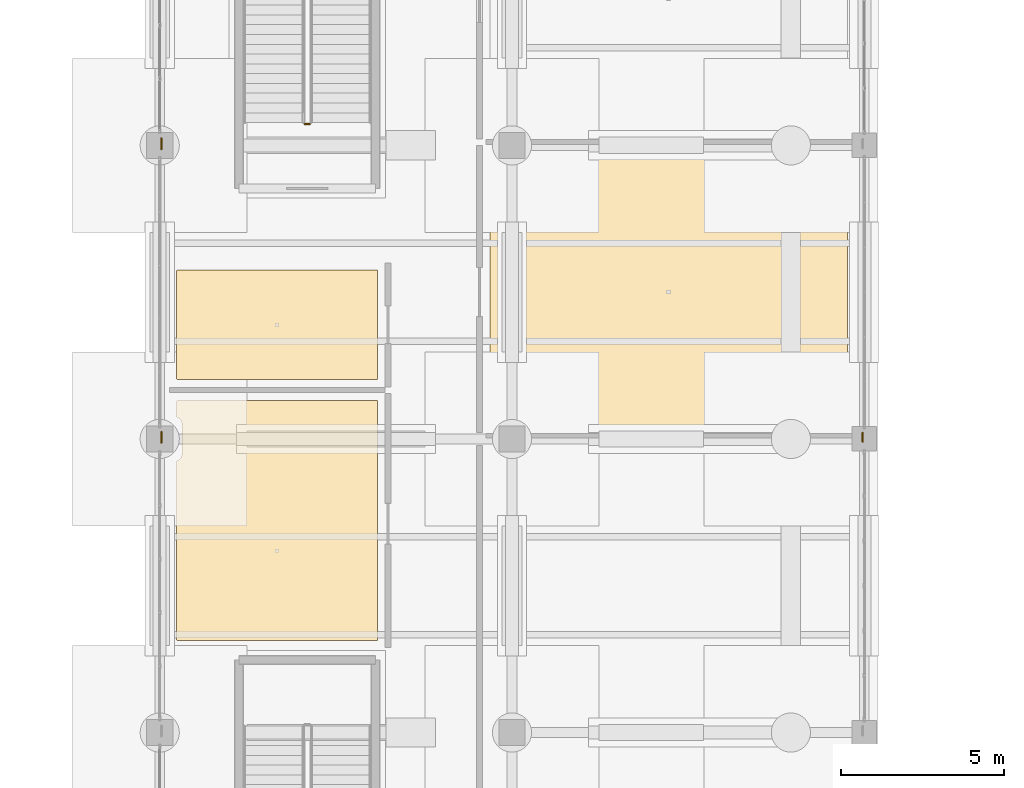
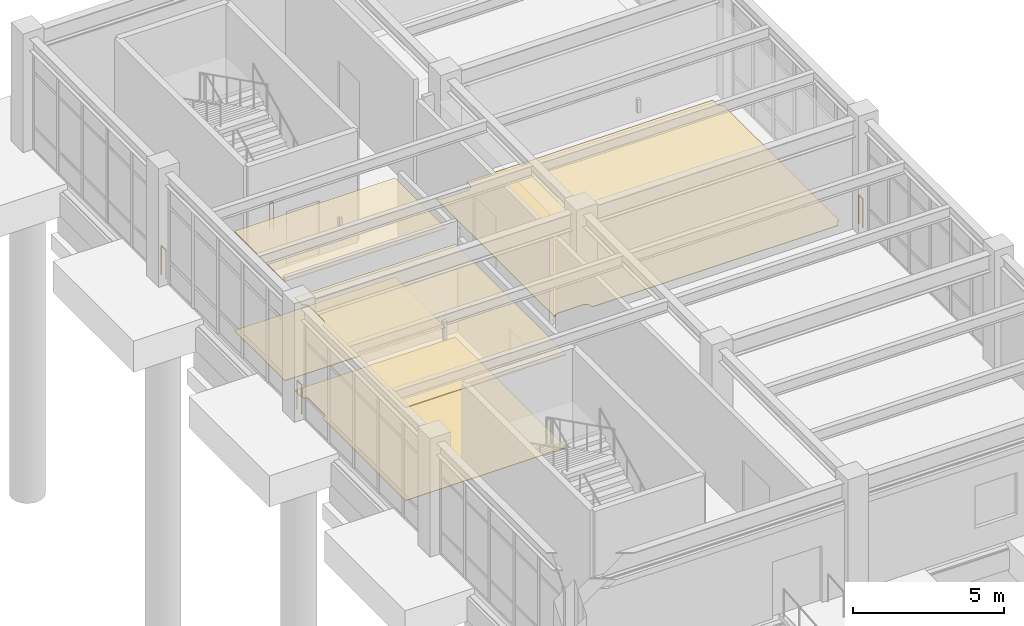
# One storey, part 93 of 98: 5 coverings, 4 railings.
"""IFC4 building model written with IfcOpenShell, lengths in metres."""

from ifc_helpers import new_model, si_unit, direction, frame, origin, origin_2d, place, context, subcontext, project, spatial, polyline, circle, outline, extrude, material, layer, layer_set, type_object, element, save


model = new_model("IFC4")

# Units and contexts
model_context = context("Model", 3, precision=1e-05, world=origin(), true_north=direction((0.0, 1.0)))
body_context = subcontext(model_context, "Body", "Model", "MODEL_VIEW")
ifc_project = project(units=[si_unit("LENGTHUNIT", "METRE"), si_unit("AREAUNIT", "SQUARE_METRE"), si_unit("VOLUMEUNIT", "CUBIC_METRE"), si_unit("PLANEANGLEUNIT", "RADIAN"), si_unit("MASSUNIT", "GRAM", prefix="KILO")], contexts=[model_context])

# Site, building, storey
site_placement = place(None, origin())
site = spatial("IfcSite", under=ifc_project, at=site_placement, CompositionType="ELEMENT")
building_placement = place(site_placement, origin())
building = spatial("IfcBuilding", under=site, at=building_placement, Name="Canglan Escarpment Cableway Terminal", CompositionType="ELEMENT")
storey_placement = place(building_placement, frame((0.0, 0.0, 9.60009765625)))
storey = spatial("IfcBuildingStorey", under=building, at=storey_placement, Name="L02", CompositionType="ELEMENT", Elevation=9.60009765625)

# Coverings
ifc_material_1 = material(Name="Micro-perforated acoustic aluminium ceiling", Category="aluminium")
ifc_layer_1 = layer(ifc_material_1, 0.0400390625, Name="Micro-perforated acoustic aluminium ceiling")
ifc_layer_set_1 = layer_set([ifc_layer_1], Name="Micro-perforated acoustic aluminium ceiling")
covering_type_1 = type_object("IfcCoveringType", Name="COV-CEIL-ACOUSTIC-40", PredefinedType="CEILING", material=ifc_layer_set_1)
covering_1_placement = place(storey_placement, frame((0.0, 0.0, 3.75)))
element("IfcCovering", 1, at=covering_1_placement, inside=storey, type_object=covering_type_1, Name="Gondola Electrical Diagnostics Lab suspended acoustic ceiling", PredefinedType="CEILING", context=body_context, shape_type="SweptSolid", body=[
    extrude(outline(polyline([(115.6201171875, 60.31396484375), (115.6201171875, 60.31591796875), (115.620361328125, 60.318115234375), (115.620849609375, 60.320068359375), (115.62158203125, 60.322021484375), (115.62255859375, 60.32373046875), (115.62353515625, 60.325439453125), (115.625, 60.3271484375), (115.626220703125, 60.32861328125), (115.6279296875, 60.329833984375), (115.629638671875, 60.3310546875), (115.63134765625, 60.33203125), (115.63330078125, 60.332763671875), (115.643798828125, 60.336669921875), (115.64453125, 60.3369140625), (115.663330078125, 60.345703125), (115.6640625, 60.34619140625), (115.681884765625, 60.356689453125), (115.6826171875, 60.357421875), (115.69921875, 60.36962890625), (115.699951171875, 60.370361328125), (115.715087890625, 60.384033203125), (115.7158203125, 60.384765625), (115.729736328125, 60.400146484375), (115.73046875, 60.40087890625), (115.74267578125, 60.41748046875), (115.7431640625, 60.418212890625), (115.75390625, 60.435791015625), (115.754150390625, 60.436767578125), (115.762939453125, 60.455322265625), (115.763427734375, 60.456298828125), (115.7705078125, 60.4755859375), (115.7705078125, 60.4765625), (115.775634765625, 60.49658203125), (115.77587890625, 60.49755859375), (115.77880859375, 60.51806640625), (115.779052734375, 60.518798828125), (115.780029296875, 60.539794921875), (115.780029296875, 60.540283203125), (115.780029296875, 61.459716796875), (115.780029296875, 61.460205078125), (115.779052734375, 61.481201171875), (115.77880859375, 61.48193359375), (115.77587890625, 61.50244140625), (115.775634765625, 61.50341796875), (115.7705078125, 61.5234375), (115.7705078125, 61.5244140625), (115.763427734375, 61.543701171875), (115.762939453125, 61.544677734375), (115.754150390625, 61.563232421875), (115.75390625, 61.564208984375), (115.7431640625, 61.581787109375), (115.74267578125, 61.58251953125), (115.73046875, 61.59912109375), (115.729736328125, 61.599853515625), (115.7158203125, 61.615234375), (115.715087890625, 61.615966796875), (115.699951171875, 61.629638671875), (115.69921875, 61.63037109375), (115.6826171875, 61.642578125), (115.681884765625, 61.643310546875), (115.6640625, 61.65380859375), (115.663330078125, 61.654296875), (115.64453125, 61.6630859375), (115.643798828125, 61.663330078125), (115.63330078125, 61.667236328125), (115.63134765625, 61.66796875), (115.629638671875, 61.6689453125), (115.6279296875, 61.670166015625), (115.626220703125, 61.67138671875), (115.625, 61.6728515625), (115.62353515625, 61.674560546875), (115.62255859375, 61.67626953125), (115.62158203125, 61.677978515625), (115.620849609375, 61.679931640625), (115.620361328125, 61.681884765625), (115.6201171875, 61.68408203125), (115.6201171875, 61.68603515625), (115.6201171875, 62.159912109375), (115.6201171875, 62.162109375), (115.620361328125, 62.163818359375), (115.620849609375, 62.165771484375), (115.62158203125, 62.167724609375), (115.622314453125, 62.16943359375), (115.623291015625, 62.171142578125), (115.62451171875, 62.172607421875), (115.6259765625, 62.174072265625), (115.627197265625, 62.175537109375), (115.62890625, 62.176513671875), (115.630615234375, 62.177490234375), (115.63232421875, 62.178466796875), (115.63427734375, 62.17919921875), (115.635986328125, 62.1796875), (115.637939453125, 62.179931640625), (115.639892578125, 62.179931640625), (121.760009765625, 62.179931640625), (121.761962890625, 62.179931640625), (121.763916015625, 62.1796875), (121.765869140625, 62.17919921875), (121.767578125, 62.178466796875), (121.769287109375, 62.177490234375), (121.77099609375, 62.176513671875), (121.772705078125, 62.175537109375), (121.774169921875, 62.174072265625), (121.775390625, 62.172607421875), (121.776611328125, 62.171142578125), (121.777587890625, 62.16943359375), (121.778564453125, 62.167724609375), (121.779052734375, 62.165771484375), (121.779541015625, 62.163818359375), (121.77978515625, 62.162109375), (121.780029296875, 62.159912109375), (121.780029296875, 54.840087890625), (121.77978515625, 54.837890625), (121.779541015625, 54.836181640625), (121.779052734375, 54.834228515625), (121.778564453125, 54.832275390625), (121.777587890625, 54.83056640625), (121.776611328125, 54.828857421875), (121.775390625, 54.827392578125), (121.774169921875, 54.825927734375), (121.772705078125, 54.824462890625), (121.77099609375, 54.823486328125), (121.769287109375, 54.822509765625), (121.767578125, 54.821533203125), (121.765869140625, 54.82080078125), (121.763916015625, 54.8203125), (121.761962890625, 54.820068359375), (121.760009765625, 54.820068359375), (115.639892578125, 54.820068359375), (115.637939453125, 54.820068359375), (115.635986328125, 54.8203125), (115.63427734375, 54.82080078125), (115.63232421875, 54.821533203125), (115.630615234375, 54.822509765625), (115.62890625, 54.823486328125), (115.627197265625, 54.824462890625), (115.6259765625, 54.825927734375), (115.62451171875, 54.827392578125), (115.623291015625, 54.828857421875), (115.622314453125, 54.83056640625), (115.62158203125, 54.832275390625), (115.620849609375, 54.834228515625), (115.620361328125, 54.836181640625), (115.6201171875, 54.837890625), (115.6201171875, 54.840087890625), (115.6201171875, 60.31396484375)])), origin(), (0.0, 0.0, 1.0), 0.039794921875),
])
ifc_material_2 = material(Name="Moisture-resistant acoustic gypsum ceiling", Category="gypsum")
ifc_layer_2 = layer(ifc_material_2, 0.030029296875, Name="Moisture-resistant acoustic gypsum ceiling")
ifc_layer_set_2 = layer_set([ifc_layer_2], Name="Moisture-resistant acoustic gypsum ceiling")
covering_type_2 = type_object("IfcCoveringType", Name="COV-CEIL-GYPSUM-30", PredefinedType="CEILING", material=ifc_layer_set_2)
covering_2_placement = place(storey_placement, frame((0.0, 0.0, 4.010009765625)))
element("IfcCovering", 2, at=covering_2_placement, inside=storey, type_object=covering_type_2, Name="Spare Parts Inspection Workshop suspended acoustic ceiling", PredefinedType="CEILING", context=body_context, shape_type="SweptSolid", body=[
    extrude(outline(polyline([(115.6201171875, 66.159912109375), (115.6201171875, 66.162109375), (115.620361328125, 66.163818359375), (115.620849609375, 66.165771484375), (115.62158203125, 66.167724609375), (115.622314453125, 66.16943359375), (115.623291015625, 66.171142578125), (115.62451171875, 66.172607421875), (115.6259765625, 66.174072265625), (115.627197265625, 66.175537109375), (115.62890625, 66.176513671875), (115.630615234375, 66.177490234375), (115.63232421875, 66.178466796875), (115.63427734375, 66.17919921875), (115.635986328125, 66.1796875), (115.637939453125, 66.179931640625), (115.639892578125, 66.179931640625), (121.760009765625, 66.179931640625), (121.761962890625, 66.179931640625), (121.763916015625, 66.1796875), (121.765869140625, 66.17919921875), (121.767578125, 66.178466796875), (121.769287109375, 66.177490234375), (121.77099609375, 66.176513671875), (121.772705078125, 66.175537109375), (121.774169921875, 66.174072265625), (121.775390625, 66.172607421875), (121.776611328125, 66.171142578125), (121.777587890625, 66.16943359375), (121.778564453125, 66.167724609375), (121.779052734375, 66.165771484375), (121.779541015625, 66.163818359375), (121.77978515625, 66.162109375), (121.780029296875, 66.159912109375), (121.780029296875, 62.840087890625), (121.77978515625, 62.837890625), (121.779541015625, 62.836181640625), (121.779052734375, 62.834228515625), (121.778564453125, 62.832275390625), (121.777587890625, 62.83056640625), (121.776611328125, 62.828857421875), (121.775390625, 62.827392578125), (121.774169921875, 62.825927734375), (121.772705078125, 62.824462890625), (121.77099609375, 62.823486328125), (121.769287109375, 62.822509765625), (121.767578125, 62.821533203125), (121.765869140625, 62.82080078125), (121.763916015625, 62.8203125), (121.761962890625, 62.820068359375), (121.760009765625, 62.820068359375), (115.639892578125, 62.820068359375), (115.637939453125, 62.820068359375), (115.635986328125, 62.8203125), (115.63427734375, 62.82080078125), (115.63232421875, 62.821533203125), (115.630615234375, 62.822509765625), (115.62890625, 62.823486328125), (115.627197265625, 62.824462890625), (115.6259765625, 62.825927734375), (115.62451171875, 62.827392578125), (115.623291015625, 62.828857421875), (115.622314453125, 62.83056640625), (115.62158203125, 62.832275390625), (115.620849609375, 62.834228515625), (115.620361328125, 62.836181640625), (115.6201171875, 62.837890625), (115.6201171875, 62.840087890625), (115.6201171875, 66.159912109375)])), origin(), (0.0, 0.0, 1.0), 0.02978515625),
])
ifc_material_3 = material(Name="Polished mineral terrazzo flooring", Category="concrete")
ifc_layer_3 = layer(ifc_material_3, 0.02001953125, Name="Polished mineral terrazzo flooring")
ifc_layer_set_3 = layer_set([ifc_layer_3], Name="Polished mineral terrazzo flooring")
covering_type_3 = type_object("IfcCoveringType", Name="COV-FLR-TERRAZZO-20", PredefinedType="FLOORING", material=ifc_layer_set_3)
covering_3_placement = place(storey_placement, origin())
element("IfcCovering", 3, at=covering_3_placement, inside=storey, type_object=covering_type_3, Name="Grip NDT Inspection Bay stone floor finish", PredefinedType="FLOORING", context=body_context, shape_type="SweptSolid", body=[
    extrude(outline(polyline([(125.219970703125, 69.407470703125), (125.22021484375, 69.4091796875), (125.220458984375, 69.411376953125), (125.220947265625, 69.4130859375), (125.221435546875, 69.4150390625), (125.222412109375, 69.416748046875), (125.223388671875, 69.41845703125), (125.224609375, 69.420166015625), (125.225830078125, 69.42138671875), (125.227294921875, 69.4228515625), (125.22900390625, 69.424072265625), (125.230712890625, 69.425048828125), (125.232421875, 69.42578125), (125.234130859375, 69.426513671875), (125.236083984375, 69.427001953125), (125.238037109375, 69.42724609375), (125.239990234375, 69.427490234375), (125.241943359375, 69.42724609375), (125.243896484375, 69.427001953125), (125.245849609375, 69.426513671875), (125.247802734375, 69.42578125), (125.24951171875, 69.425048828125), (125.251220703125, 69.424072265625), (125.252685546875, 69.4228515625), (125.254150390625, 69.42138671875), (125.255615234375, 69.420166015625), (125.256591796875, 69.41845703125), (125.25732421875, 69.41748046875), (125.26953125, 69.40087890625), (125.270263671875, 69.400146484375), (125.2841796875, 69.384765625), (125.284912109375, 69.384033203125), (125.300048828125, 69.370361328125), (125.30078125, 69.36962890625), (125.3173828125, 69.357421875), (125.318115234375, 69.356689453125), (125.3359375, 69.34619140625), (125.336669921875, 69.345703125), (125.35546875, 69.3369140625), (125.356201171875, 69.336669921875), (125.375732421875, 69.32958984375), (125.376708984375, 69.329345703125), (125.396484375, 69.32421875), (125.397705078125, 69.32421875), (125.41796875, 69.321044921875), (125.4189453125, 69.321044921875), (125.439697265625, 69.320068359375), (125.440185546875, 69.320068359375), (126.35986328125, 69.320068359375), (126.360107421875, 69.320068359375), (126.381103515625, 69.321044921875), (126.382080078125, 69.321044921875), (126.40234375, 69.32421875), (126.4033203125, 69.32421875), (126.42333984375, 69.329345703125), (126.42431640625, 69.32958984375), (126.443603515625, 69.336669921875), (126.444580078125, 69.3369140625), (126.46337890625, 69.345703125), (126.464111328125, 69.34619140625), (126.481689453125, 69.356689453125), (126.482666015625, 69.357421875), (126.499267578125, 69.36962890625), (126.5, 69.370361328125), (126.51513671875, 69.384033203125), (126.515869140625, 69.384765625), (126.52978515625, 69.400146484375), (126.530517578125, 69.40087890625), (126.54248046875, 69.41748046875), (126.543212890625, 69.418212890625), (126.5537109375, 69.435791015625), (126.55419921875, 69.436767578125), (126.56298828125, 69.455322265625), (126.5634765625, 69.456298828125), (126.5703125, 69.4755859375), (126.570556640625, 69.4765625), (126.57568359375, 69.49658203125), (126.57568359375, 69.49755859375), (126.578857421875, 69.51806640625), (126.5791015625, 69.518798828125), (126.580078125, 69.539794921875), (126.580078125, 69.540283203125), (126.580078125, 69.760009765625), (126.580078125, 69.761962890625), (126.580322265625, 69.763916015625), (126.580810546875, 69.765869140625), (126.58154296875, 69.767578125), (126.58251953125, 69.769287109375), (126.58349609375, 69.77099609375), (126.58447265625, 69.772705078125), (126.5859375, 69.774169921875), (126.58740234375, 69.775390625), (126.5888671875, 69.776611328125), (126.590576171875, 69.777587890625), (126.59228515625, 69.778564453125), (126.59423828125, 69.779052734375), (126.59619140625, 69.779541015625), (126.597900390625, 69.77978515625), (126.60009765625, 69.780029296875), (136.0, 69.780029296875), (136.001953125, 69.77978515625), (136.00390625, 69.779541015625), (136.005859375, 69.779052734375), (136.0078125, 69.778564453125), (136.009521484375, 69.777587890625), (136.010986328125, 69.776611328125), (136.0126953125, 69.775390625), (136.01416015625, 69.774169921875), (136.015380859375, 69.772705078125), (136.0166015625, 69.77099609375), (136.017578125, 69.769287109375), (136.0185546875, 69.767578125), (136.01904296875, 69.765869140625), (136.01953125, 69.763916015625), (136.02001953125, 69.761962890625), (136.02001953125, 69.760009765625), (136.02001953125, 69.540283203125), (136.02001953125, 69.539794921875), (136.02099609375, 69.518798828125), (136.02099609375, 69.51806640625), (136.024169921875, 69.49755859375), (136.0244140625, 69.49658203125), (136.029296875, 69.4765625), (136.029541015625, 69.4755859375), (136.03662109375, 69.456298828125), (136.037109375, 69.455322265625), (136.0458984375, 69.436767578125), (136.046142578125, 69.435791015625), (136.056884765625, 69.418212890625), (136.057373046875, 69.41748046875), (136.069580078125, 69.40087890625), (136.0703125, 69.400146484375), (136.083984375, 69.384765625), (136.084716796875, 69.384033203125), (136.10009765625, 69.370361328125), (136.100830078125, 69.36962890625), (136.117431640625, 69.357421875), (136.1181640625, 69.356689453125), (136.135986328125, 69.34619140625), (136.13671875, 69.345703125), (136.155517578125, 69.3369140625), (136.15625, 69.336669921875), (136.166748046875, 69.332763671875), (136.16845703125, 69.33203125), (136.170166015625, 69.331298828125), (136.171630859375, 69.330078125), (136.173095703125, 69.3291015625), (136.174560546875, 69.32763671875), (136.17578125, 69.326416015625), (136.177001953125, 69.32470703125), (136.177734375, 69.322998046875), (136.1787109375, 69.3212890625), (136.17919921875, 69.319580078125), (136.1796875, 69.31787109375), (136.179931640625, 69.31591796875), (136.179931640625, 69.31396484375), (136.179931640625, 61.68603515625), (136.179931640625, 61.68408203125), (136.1796875, 61.68212890625), (136.17919921875, 61.680419921875), (136.1787109375, 61.6787109375), (136.177734375, 61.677001953125), (136.177001953125, 61.67529296875), (136.17578125, 61.673583984375), (136.174560546875, 61.67236328125), (136.173095703125, 61.6708984375), (136.171630859375, 61.669921875), (136.170166015625, 61.668701171875), (136.16845703125, 61.66796875), (136.166748046875, 61.667236328125), (136.15625, 61.663330078125), (136.155517578125, 61.6630859375), (136.13671875, 61.654296875), (136.135986328125, 61.65380859375), (136.1181640625, 61.643310546875), (136.117431640625, 61.642578125), (136.100830078125, 61.63037109375), (136.10009765625, 61.629638671875), (136.084716796875, 61.615966796875), (136.083984375, 61.615234375), (136.0703125, 61.599853515625), (136.069580078125, 61.59912109375), (136.057373046875, 61.58251953125), (136.056884765625, 61.581787109375), (136.046142578125, 61.564208984375), (136.0458984375, 61.563232421875), (136.037109375, 61.544677734375), (136.03662109375, 61.543701171875), (136.029541015625, 61.5244140625), (136.029296875, 61.5234375), (136.0244140625, 61.50341796875), (136.024169921875, 61.50244140625), (136.02099609375, 61.48193359375), (136.02099609375, 61.481201171875), (136.02001953125, 61.460205078125), (136.02001953125, 61.459716796875), (136.02001953125, 61.43994140625), (136.02001953125, 61.43798828125), (136.01953125, 61.43603515625), (136.01904296875, 61.43408203125), (136.0185546875, 61.432373046875), (136.017578125, 61.4306640625), (136.0166015625, 61.428955078125), (136.015380859375, 61.42724609375), (136.01416015625, 61.42578125), (136.0126953125, 61.424560546875), (136.010986328125, 61.42333984375), (136.009521484375, 61.42236328125), (136.0078125, 61.42138671875), (136.005859375, 61.4208984375), (136.00390625, 61.42041015625), (136.001953125, 61.420166015625), (136.0, 61.419921875), (126.60009765625, 61.419921875), (126.597900390625, 61.420166015625), (126.59619140625, 61.42041015625), (126.59423828125, 61.4208984375), (126.59228515625, 61.42138671875), (126.590576171875, 61.42236328125), (126.5888671875, 61.42333984375), (126.58740234375, 61.424560546875), (126.5859375, 61.42578125), (126.58447265625, 61.42724609375), (126.58349609375, 61.428955078125), (126.58251953125, 61.4306640625), (126.58154296875, 61.432373046875), (126.580810546875, 61.43408203125), (126.580322265625, 61.43603515625), (126.580078125, 61.43798828125), (126.580078125, 61.43994140625), (126.580078125, 61.459716796875), (126.580078125, 61.460205078125), (126.5791015625, 61.481201171875), (126.578857421875, 61.48193359375), (126.57568359375, 61.50244140625), (126.57568359375, 61.50341796875), (126.570556640625, 61.5234375), (126.5703125, 61.5244140625), (126.5634765625, 61.543701171875), (126.56298828125, 61.544677734375), (126.55419921875, 61.563232421875), (126.5537109375, 61.564208984375), (126.543212890625, 61.581787109375), (126.54248046875, 61.58251953125), (126.530517578125, 61.59912109375), (126.52978515625, 61.599853515625), (126.515869140625, 61.615234375), (126.51513671875, 61.615966796875), (126.5, 61.629638671875), (126.499267578125, 61.63037109375), (126.482666015625, 61.642578125), (126.481689453125, 61.643310546875), (126.464111328125, 61.65380859375), (126.46337890625, 61.654296875), (126.444580078125, 61.6630859375), (126.443603515625, 61.663330078125), (126.42431640625, 61.67041015625), (126.42333984375, 61.670654296875), (126.4033203125, 61.67578125), (126.40234375, 61.67578125), (126.382080078125, 61.678955078125), (126.381103515625, 61.678955078125), (126.360107421875, 61.679931640625), (126.35986328125, 61.679931640625), (125.440185546875, 61.679931640625), (125.439697265625, 61.679931640625), (125.4189453125, 61.678955078125), (125.41796875, 61.678955078125), (125.397705078125, 61.67578125), (125.396484375, 61.67578125), (125.376708984375, 61.670654296875), (125.375732421875, 61.67041015625), (125.356201171875, 61.663330078125), (125.35546875, 61.6630859375), (125.336669921875, 61.654296875), (125.3359375, 61.65380859375), (125.318115234375, 61.643310546875), (125.3173828125, 61.642578125), (125.30078125, 61.63037109375), (125.300048828125, 61.629638671875), (125.284912109375, 61.615966796875), (125.2841796875, 61.615234375), (125.270263671875, 61.599853515625), (125.26953125, 61.59912109375), (125.25732421875, 61.58251953125), (125.256591796875, 61.58154296875), (125.255615234375, 61.579833984375), (125.254150390625, 61.57861328125), (125.252685546875, 61.5771484375), (125.251220703125, 61.575927734375), (125.24951171875, 61.574951171875), (125.247802734375, 61.57421875), (125.245849609375, 61.573486328125), (125.243896484375, 61.572998046875), (125.241943359375, 61.57275390625), (125.239990234375, 61.572509765625), (125.238037109375, 61.57275390625), (125.236083984375, 61.572998046875), (125.234130859375, 61.573486328125), (125.232421875, 61.57421875), (125.230712890625, 61.574951171875), (125.22900390625, 61.575927734375), (125.227294921875, 61.5771484375), (125.225830078125, 61.57861328125), (125.224609375, 61.579833984375), (125.223388671875, 61.58154296875), (125.222412109375, 61.583251953125), (125.221435546875, 61.5849609375), (125.220947265625, 61.5869140625), (125.220458984375, 61.588623046875), (125.22021484375, 61.5908203125), (125.219970703125, 61.592529296875), (125.219970703125, 69.407470703125)])), origin(), (0.0, 0.0, 1.0), 0.02001953125),
])
covering_4_placement = place(storey_placement, origin())
element("IfcCovering", 4, at=covering_4_placement, inside=storey, type_object=covering_type_3, Name="Gondola Electrical Diagnostics Lab stone floor finish", PredefinedType="FLOORING", context=body_context, shape_type="SweptSolid", body=[
    extrude(outline(polyline([(115.6201171875, 60.31396484375), (115.6201171875, 60.31591796875), (115.620361328125, 60.318115234375), (115.620849609375, 60.320068359375), (115.62158203125, 60.322021484375), (115.62255859375, 60.32373046875), (115.62353515625, 60.325439453125), (115.625, 60.3271484375), (115.626220703125, 60.32861328125), (115.6279296875, 60.329833984375), (115.629638671875, 60.3310546875), (115.63134765625, 60.33203125), (115.63330078125, 60.332763671875), (115.643798828125, 60.336669921875), (115.64453125, 60.3369140625), (115.663330078125, 60.345703125), (115.6640625, 60.34619140625), (115.681884765625, 60.356689453125), (115.6826171875, 60.357421875), (115.69921875, 60.36962890625), (115.699951171875, 60.370361328125), (115.715087890625, 60.384033203125), (115.7158203125, 60.384765625), (115.729736328125, 60.400146484375), (115.73046875, 60.40087890625), (115.74267578125, 60.41748046875), (115.7431640625, 60.418212890625), (115.75390625, 60.435791015625), (115.754150390625, 60.436767578125), (115.762939453125, 60.455322265625), (115.763427734375, 60.456298828125), (115.7705078125, 60.4755859375), (115.7705078125, 60.4765625), (115.775634765625, 60.49658203125), (115.77587890625, 60.49755859375), (115.77880859375, 60.51806640625), (115.779052734375, 60.518798828125), (115.780029296875, 60.539794921875), (115.780029296875, 60.540283203125), (115.780029296875, 61.459716796875), (115.780029296875, 61.460205078125), (115.779052734375, 61.481201171875), (115.77880859375, 61.48193359375), (115.77587890625, 61.50244140625), (115.775634765625, 61.50341796875), (115.7705078125, 61.5234375), (115.7705078125, 61.5244140625), (115.763427734375, 61.543701171875), (115.762939453125, 61.544677734375), (115.754150390625, 61.563232421875), (115.75390625, 61.564208984375), (115.7431640625, 61.581787109375), (115.74267578125, 61.58251953125), (115.73046875, 61.59912109375), (115.729736328125, 61.599853515625), (115.7158203125, 61.615234375), (115.715087890625, 61.615966796875), (115.699951171875, 61.629638671875), (115.69921875, 61.63037109375), (115.6826171875, 61.642578125), (115.681884765625, 61.643310546875), (115.6640625, 61.65380859375), (115.663330078125, 61.654296875), (115.64453125, 61.6630859375), (115.643798828125, 61.663330078125), (115.63330078125, 61.667236328125), (115.63134765625, 61.66796875), (115.629638671875, 61.6689453125), (115.6279296875, 61.670166015625), (115.626220703125, 61.67138671875), (115.625, 61.6728515625), (115.62353515625, 61.674560546875), (115.62255859375, 61.67626953125), (115.62158203125, 61.677978515625), (115.620849609375, 61.679931640625), (115.620361328125, 61.681884765625), (115.6201171875, 61.68408203125), (115.6201171875, 61.68603515625), (115.6201171875, 62.159912109375), (115.6201171875, 62.162109375), (115.620361328125, 62.163818359375), (115.620849609375, 62.165771484375), (115.62158203125, 62.167724609375), (115.622314453125, 62.16943359375), (115.623291015625, 62.171142578125), (115.62451171875, 62.172607421875), (115.6259765625, 62.174072265625), (115.627197265625, 62.175537109375), (115.62890625, 62.176513671875), (115.630615234375, 62.177490234375), (115.63232421875, 62.178466796875), (115.63427734375, 62.17919921875), (115.635986328125, 62.1796875), (115.637939453125, 62.179931640625), (115.639892578125, 62.179931640625), (121.760009765625, 62.179931640625), (121.761962890625, 62.179931640625), (121.763916015625, 62.1796875), (121.765869140625, 62.17919921875), (121.767578125, 62.178466796875), (121.769287109375, 62.177490234375), (121.77099609375, 62.176513671875), (121.772705078125, 62.175537109375), (121.774169921875, 62.174072265625), (121.775390625, 62.172607421875), (121.776611328125, 62.171142578125), (121.777587890625, 62.16943359375), (121.778564453125, 62.167724609375), (121.779052734375, 62.165771484375), (121.779541015625, 62.163818359375), (121.77978515625, 62.162109375), (121.780029296875, 62.159912109375), (121.780029296875, 54.840087890625), (121.77978515625, 54.837890625), (121.779541015625, 54.836181640625), (121.779052734375, 54.834228515625), (121.778564453125, 54.832275390625), (121.777587890625, 54.83056640625), (121.776611328125, 54.828857421875), (121.775390625, 54.827392578125), (121.774169921875, 54.825927734375), (121.772705078125, 54.824462890625), (121.77099609375, 54.823486328125), (121.769287109375, 54.822509765625), (121.767578125, 54.821533203125), (121.765869140625, 54.82080078125), (121.763916015625, 54.8203125), (121.761962890625, 54.820068359375), (121.760009765625, 54.820068359375), (115.639892578125, 54.820068359375), (115.637939453125, 54.820068359375), (115.635986328125, 54.8203125), (115.63427734375, 54.82080078125), (115.63232421875, 54.821533203125), (115.630615234375, 54.822509765625), (115.62890625, 54.823486328125), (115.627197265625, 54.824462890625), (115.6259765625, 54.825927734375), (115.62451171875, 54.827392578125), (115.623291015625, 54.828857421875), (115.622314453125, 54.83056640625), (115.62158203125, 54.832275390625), (115.620849609375, 54.834228515625), (115.620361328125, 54.836181640625), (115.6201171875, 54.837890625), (115.6201171875, 54.840087890625), (115.6201171875, 60.31396484375)])), origin(), (0.0, 0.0, 1.0), 0.02001953125),
])
covering_5_placement = place(storey_placement, origin())
element("IfcCovering", 5, at=covering_5_placement, inside=storey, type_object=covering_type_3, Name="Spare Parts Inspection Workshop stone floor finish", PredefinedType="FLOORING", context=body_context, shape_type="SweptSolid", body=[
    extrude(outline(polyline([(115.6201171875, 66.159912109375), (115.6201171875, 66.162109375), (115.620361328125, 66.163818359375), (115.620849609375, 66.165771484375), (115.62158203125, 66.167724609375), (115.622314453125, 66.16943359375), (115.623291015625, 66.171142578125), (115.62451171875, 66.172607421875), (115.6259765625, 66.174072265625), (115.627197265625, 66.175537109375), (115.62890625, 66.176513671875), (115.630615234375, 66.177490234375), (115.63232421875, 66.178466796875), (115.63427734375, 66.17919921875), (115.635986328125, 66.1796875), (115.637939453125, 66.179931640625), (115.639892578125, 66.179931640625), (121.760009765625, 66.179931640625), (121.761962890625, 66.179931640625), (121.763916015625, 66.1796875), (121.765869140625, 66.17919921875), (121.767578125, 66.178466796875), (121.769287109375, 66.177490234375), (121.77099609375, 66.176513671875), (121.772705078125, 66.175537109375), (121.774169921875, 66.174072265625), (121.775390625, 66.172607421875), (121.776611328125, 66.171142578125), (121.777587890625, 66.16943359375), (121.778564453125, 66.167724609375), (121.779052734375, 66.165771484375), (121.779541015625, 66.163818359375), (121.77978515625, 66.162109375), (121.780029296875, 66.159912109375), (121.780029296875, 62.840087890625), (121.77978515625, 62.837890625), (121.779541015625, 62.836181640625), (121.779052734375, 62.834228515625), (121.778564453125, 62.832275390625), (121.777587890625, 62.83056640625), (121.776611328125, 62.828857421875), (121.775390625, 62.827392578125), (121.774169921875, 62.825927734375), (121.772705078125, 62.824462890625), (121.77099609375, 62.823486328125), (121.769287109375, 62.822509765625), (121.767578125, 62.821533203125), (121.765869140625, 62.82080078125), (121.763916015625, 62.8203125), (121.761962890625, 62.820068359375), (121.760009765625, 62.820068359375), (115.639892578125, 62.820068359375), (115.637939453125, 62.820068359375), (115.635986328125, 62.8203125), (115.63427734375, 62.82080078125), (115.63232421875, 62.821533203125), (115.630615234375, 62.822509765625), (115.62890625, 62.823486328125), (115.627197265625, 62.824462890625), (115.6259765625, 62.825927734375), (115.62451171875, 62.827392578125), (115.623291015625, 62.828857421875), (115.622314453125, 62.83056640625), (115.62158203125, 62.832275390625), (115.620849609375, 62.834228515625), (115.620361328125, 62.836181640625), (115.6201171875, 62.837890625), (115.6201171875, 62.840087890625), (115.6201171875, 66.159912109375)])), origin(), (0.0, 0.0, 1.0), 0.02001953125),
])

# Railings
ifc_material_4 = material(Name="Carved limestone and anodized bronze balustrade", Category="masonry")
railing_type_1 = type_object("IfcRailingType", Name="RL-EXT-BALUSTRADE-1200", PredefinedType="BALUSTRADE", material=ifc_material_4)
for number, where, name in (
    (6, (115.14990234375, 60.889892578125, 0.0), "Classical terrace balustrade guard GD-01 (L02)"),
    (7, (115.14990234375, 69.889892578125, 0.0), "Classical terrace balustrade guard GD-01 (L02)"),
):
    element("IfcRailing", number, at=place(storey_placement, frame(where)), inside=storey, type_object=railing_type_1, Name=name, PredefinedType="BALUSTRADE", context=body_context, shape_type="SweptSolid", body=[
        extrude(circle(Radius=0.02392578125, at=origin_2d()), frame((0.0, 0.0, 1.17578125), z_axis=(0.0, 1.0, 0.0), x_axis=(-1.0, 0.0, 0.0)), (0.0, 0.0, 1.0), 0.320068359375),
        extrude(circle(Radius=0.02099609375, at=origin_2d()), origin(), (0.0, 0.0, 1.0), 1.15185546875),
        extrude(circle(Radius=0.02099609375, at=origin_2d()), frame((0.0, 0.320068359375, 0.0)), (0.0, 0.0, 1.0), 1.15185546875),
    ])
railing_1_placement = place(storey_placement, frame((136.64990234375, 61.18505859375, 0.0)))
element("IfcRailing", 8, at=railing_1_placement, inside=storey, type_object=railing_type_1, Name="Classical terrace balustrade guard GD-01 (L02)", PredefinedType="BALUSTRADE", context=body_context, shape_type="SweptSolid", body=[
    extrude(circle(Radius=0.02392578125, at=origin_2d()), frame((0.0, 0.0, 1.17578125), z_axis=(0.0, -1.0, 0.0), x_axis=(1.0, 0.0, 0.0)), (0.0, 0.0, 1.0), 0.27001953125),
    extrude(circle(Radius=0.02099609375, at=origin_2d()), origin(), (0.0, 0.0, 1.0), 1.15185546875),
    extrude(circle(Radius=0.02099609375, at=origin_2d()), frame((0.0, -0.27001953125, 0.0)), (0.0, 0.0, 1.0), 1.15185546875),
])
ifc_material_5 = material(Name="Powder-coated steel stair balustrade", Category="steel")
railing_type_2 = type_object("IfcRailingType", Name="RL-STR-GUARD-1100", PredefinedType="BALUSTRADE", material=ifc_material_5)
railing_2_placement = place(storey_placement, frame((119.699951171875, 70.64990234375, 0.0)))
element("IfcRailing", 9, at=railing_2_placement, inside=storey, type_object=railing_type_2, Name="L02 ST-11 stair guard 4", PredefinedType="BALUSTRADE", context=body_context, shape_type="SweptSolid", body=[
    extrude(circle(Radius=0.02392578125, at=origin_2d()), frame((0.0, 0.0, 1.076171875), z_axis=(-1.0, 0.0, 0.0), x_axis=(0.0, -1.0, 0.0)), (0.0, 0.0, 1.0), 0.14990234375),
    extrude(circle(Radius=0.02099609375, at=origin_2d()), origin(), (0.0, 0.0, 1.0), 1.052001953125),
    extrude(circle(Radius=0.02099609375, at=origin_2d()), frame((-0.14990234375, 0.0, 0.0)), (0.0, 0.0, 1.0), 1.052001953125),
])

save(model, "model.ifc")
